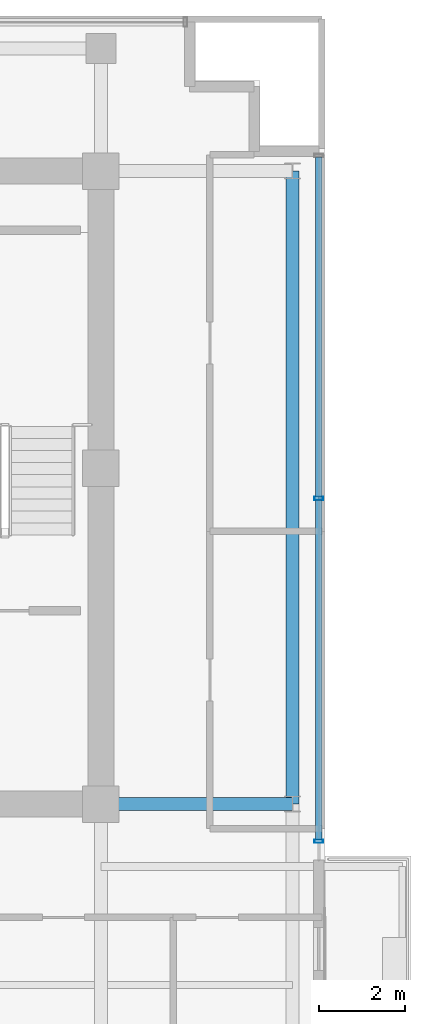
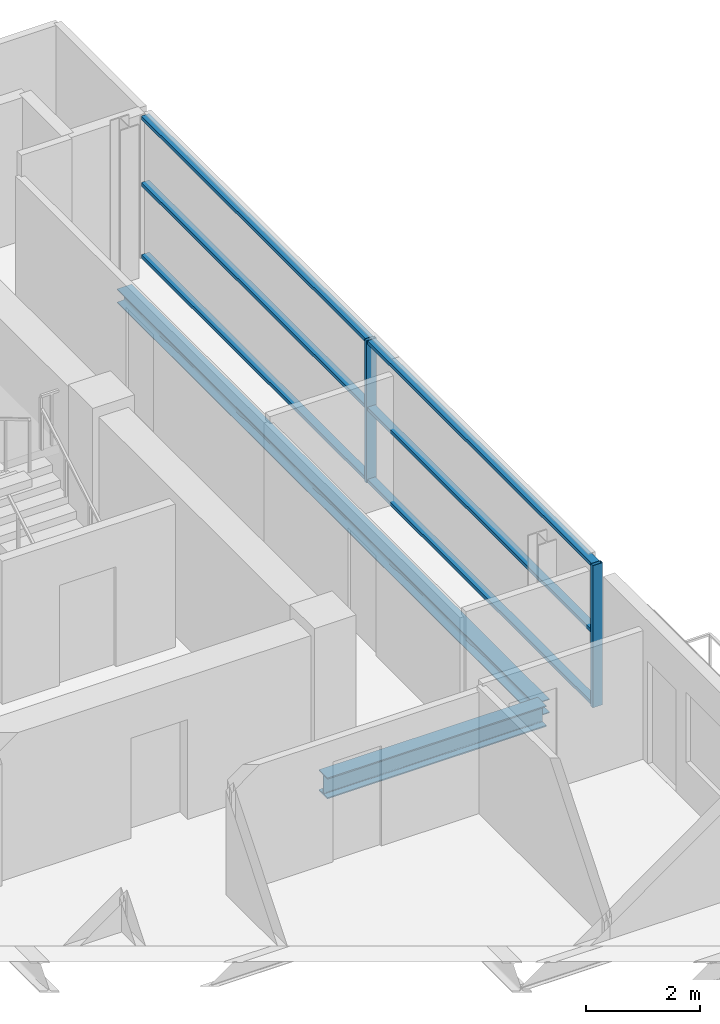
# One storey, part 11 of 23: 8 members, 2 beams, 1 element without a shape of its own.
"""IFC4 building model written with IfcOpenShell, lengths in metres."""

from ifc_helpers import new_model, si_unit, direction, frame, origin, origin_2d, place, context, subcontext, project, spatial, hollow_rectangle, i_section, extrude, source, transform, mapped, material, layer, layer_set, material_profile, profile_set, type_object, element, aggregate, save


model = new_model("IFC4")

# Units and contexts
model_context = context("Model", 3, precision=1e-05, world=origin(), true_north=direction((0.0, 1.0)))
body_context = subcontext(model_context, "Body", "Model", "MODEL_VIEW")
ifc_project = project(units=[si_unit("LENGTHUNIT", "METRE"), si_unit("AREAUNIT", "SQUARE_METRE"), si_unit("VOLUMEUNIT", "CUBIC_METRE"), si_unit("PLANEANGLEUNIT", "RADIAN"), si_unit("MASSUNIT", "GRAM", prefix="KILO")], contexts=[model_context])

# Site, building, storey
site_placement = place(None, origin())
site = spatial("IfcSite", under=ifc_project, at=site_placement, CompositionType="ELEMENT")
building_placement = place(site_placement, origin())
building = spatial("IfcBuilding", under=site, at=building_placement, Name="Zarnakvel Exchange Tower", CompositionType="ELEMENT")
storey_placement = place(building_placement, frame((0.0, 0.0, 218.800048828125)))
storey = spatial("IfcBuildingStorey", under=building, at=storey_placement, Name="L61", CompositionType="ELEMENT", Elevation=218.800048828125)

# Beams
ifc_material_1 = material(Name="Steel S355", Category="steel")
ifc_material_profile_1 = material_profile(ifc_material_1, i_section(OverallWidth=0.300048828125, OverallDepth=0.449951171875, WebThickness=0.013916015625, FlangeThickness=0.02587890625, FilletRadius=0.027099609375, at=origin_2d()))
ifc_profile_set_1 = profile_set([ifc_material_profile_1], Name="Steel S355")
beam_type_1 = type_object("IfcBeamType", Name="G-07", PredefinedType="BEAM", material=ifc_profile_set_1)
beam_1_placement = place(storey_placement, frame((14.39990234375, -1.199951171875, -0.449951171875), z_axis=(1.0, 0.0, 0.0), x_axis=(0.0, 1.0, 0.0)))
element("IfcBeam", 1, at=beam_1_placement, inside=storey, type_object=beam_type_1, Name="L61 Tower E-W Frame Beam", PredefinedType="BEAM", context=body_context, shape_type="SweptSolid", body=[
    extrude(i_section(OverallWidth=0.300048828125, OverallDepth=0.449951171875, WebThickness=0.013916015625, FlangeThickness=0.02587890625, FilletRadius=0.027099609375, at=origin_2d()), origin(), (0.0, 0.0, 1.0), 4.4501953125),
])
ifc_material_profile_2 = material_profile(ifc_material_1, i_section(OverallWidth=0.300048828125, OverallDepth=0.300048828125, WebThickness=0.010986328125, FlangeThickness=0.01904296875, FilletRadius=0.027099609375, at=origin_2d()))
ifc_profile_set_2 = profile_set([ifc_material_profile_2], Name="Steel S355")
beam_type_2 = type_object("IfcBeamType", Name="SP-03", PredefinedType="SPANDREL", material=ifc_profile_set_2)
beam_2_placement = place(storey_placement, frame((18.85009765625, -1.199951171875, -0.375), z_axis=(0.0, 1.0, 0.0), x_axis=(-1.0, 0.0, 0.0)))
element("IfcBeam", 2, at=beam_2_placement, inside=storey, type_object=beam_type_2, Name="L61 Tower N-S Frame Beam", PredefinedType="SPANDREL", context=body_context, shape_type="SweptSolid", body=[
    extrude(i_section(OverallWidth=0.300048828125, OverallDepth=0.300048828125, WebThickness=0.010986328125, FlangeThickness=0.01904296875, FilletRadius=0.027099609375, at=origin_2d()), origin(), (0.0, 0.0, 1.0), 14.699951171875),
])

# Curtain wall, members
ifc_material_2 = material(Name="Architectural Bronze Anodised Aluminium", Category="aluminium")
ifc_layer = layer(ifc_material_2, 0.199951171875)
ifc_layer_set = layer_set([ifc_layer], Name="Architectural Bronze Anodised Aluminium")
curtain_wall_type = type_object("IfcCurtainWallType", Name="CW-04", PredefinedType="NOTDEFINED", material=ifc_layer_set)
curtain_wall_placement = place(storey_placement, origin())
curtain_wall = element("IfcCurtainWall", 3, at=curtain_wall_placement, inside=storey, type_object=curtain_wall_type, Name="L61 Curtain Wall CW-L61-EN (CW-04)", PredefinedType="NOTDEFINED")
ifc_material_profile_3 = material_profile(ifc_material_2, hollow_rectangle(XDim=0.199951171875, YDim=0.074951171875, WallThickness=0.0048828125, at=origin_2d()))
ifc_profile_set_3 = profile_set([ifc_material_profile_3], Name="Architectural Bronze Anodised Aluminium")
member_type_1 = type_object("IfcMemberType", Name="CWM-04", PredefinedType="MULLION", material=ifc_profile_set_3)
shared_shape_1 = source(origin(), body_context, "Body", "SweptSolid", [
    extrude(hollow_rectangle(XDim=0.199951171875, YDim=0.074951171875, WallThickness=0.0048828125, at=origin_2d()), origin(), (0.0, 0.0, 1.0), 3.054931640625),
])
member_1_placement = place(storey_placement, frame((19.4599609375, -2.0625, 0.0), z_axis=(0.0, 0.0, 1.0), x_axis=(-1.0, 0.0, 0.0)))
member_1 = element("IfcMember", 4, at=member_1_placement, type_object=member_type_1, Name="CW-04 mullion 1", PredefinedType="MULLION", context=body_context, shape_type="MappedRepresentation", body=[
    mapped(shared_shape_1, transform((0.0, 0.0, 0.0), x_axis=(1.0, 0.0, 0.0), y_axis=(0.0, 1.0, 0.0), z_axis=(0.0, 0.0, 1.0), scale=1.0)),
])
member_2_placement = place(storey_placement, frame((19.4599609375, 5.89990234375, 0.0), z_axis=(0.0, 0.0, 1.0), x_axis=(-1.0, 0.0, 0.0)))
member_2 = element("IfcMember", 5, at=member_2_placement, type_object=member_type_1, Name="CW-04 mullion 2", PredefinedType="MULLION", context=body_context, shape_type="MappedRepresentation", body=[
    mapped(shared_shape_1, transform((0.0, 0.0, 0.0), x_axis=(1.0, 0.0, 0.0), y_axis=(0.0, 1.0, 0.0), z_axis=(0.0, 0.0, 1.0), scale=1.0)),
])
ifc_material_profile_4 = material_profile(ifc_material_2, hollow_rectangle(XDim=0.159912109375, YDim=0.074951171875, WallThickness=0.00390625, at=origin_2d()))
ifc_profile_set_4 = profile_set([ifc_material_profile_4], Name="Architectural Bronze Anodised Aluminium")
member_type_2 = type_object("IfcMemberType", Name="CWT-04", PredefinedType="USERDEFINED", material=ifc_profile_set_4)
shared_shape_2 = source(origin(), body_context, "Body", "SweptSolid", [
    extrude(hollow_rectangle(XDim=0.159912109375, YDim=0.074951171875, WallThickness=0.00390625, at=origin_2d()), origin(), (0.0, 0.0, 1.0), 7.887451171875),
])
member_3_placement = place(storey_placement, frame((19.4599609375, -2.02490234375, 0.037353515625), z_axis=(0.0, 1.0, 0.0), x_axis=(-1.0, 0.0, 0.0)))
member_3 = element("IfcMember", 6, at=member_3_placement, type_object=member_type_2, Name="CW-04 transom 1.1", ObjectType="TRANSOM", PredefinedType="USERDEFINED", context=body_context, shape_type="MappedRepresentation", body=[
    mapped(shared_shape_2, transform((0.0, 0.0, 0.0), x_axis=(1.0, 0.0, 0.0), y_axis=(0.0, 1.0, 0.0), z_axis=(0.0, 0.0, 1.0), scale=1.0)),
])
member_4_placement = place(storey_placement, frame((19.4599609375, -2.02490234375, 1.588623046875), z_axis=(0.0, 1.0, 0.0), x_axis=(-1.0, 0.0, 0.0)))
member_4 = element("IfcMember", 7, at=member_4_placement, type_object=member_type_2, Name="CW-04 transom 1.2", ObjectType="TRANSOM", PredefinedType="USERDEFINED", context=body_context, shape_type="MappedRepresentation", body=[
    mapped(shared_shape_2, transform((0.0, 0.0, 0.0), x_axis=(1.0, 0.0, 0.0), y_axis=(0.0, 1.0, 0.0), z_axis=(0.0, 0.0, 1.0), scale=1.0)),
])
member_5_placement = place(storey_placement, frame((19.4599609375, -2.02490234375, 3.017333984375), z_axis=(0.0, 1.0, 0.0), x_axis=(-1.0, 0.0, 0.0)))
member_5 = element("IfcMember", 8, at=member_5_placement, type_object=member_type_2, Name="CW-04 transom 1.3", ObjectType="TRANSOM", PredefinedType="USERDEFINED", context=body_context, shape_type="MappedRepresentation", body=[
    mapped(shared_shape_2, transform((0.0, 0.0, 0.0), x_axis=(1.0, 0.0, 0.0), y_axis=(0.0, 1.0, 0.0), z_axis=(0.0, 0.0, 1.0), scale=1.0)),
])
member_6_placement = place(storey_placement, frame((19.4599609375, 5.9375, 0.037353515625), z_axis=(0.0, 1.0, 0.0), x_axis=(-1.0, 0.0, 0.0)))
member_6 = element("IfcMember", 9, at=member_6_placement, type_object=member_type_2, Name="CW-04 transom 2.1", ObjectType="TRANSOM", PredefinedType="USERDEFINED", context=body_context, shape_type="MappedRepresentation", body=[
    mapped(shared_shape_2, transform((0.0, 0.0, 0.0), x_axis=(1.0, 0.0, 0.0), y_axis=(0.0, 1.0, 0.0), z_axis=(0.0, 0.0, 1.0), scale=1.0)),
])
member_7_placement = place(storey_placement, frame((19.4599609375, 5.9375, 1.588623046875), z_axis=(0.0, 1.0, 0.0), x_axis=(-1.0, 0.0, 0.0)))
member_7 = element("IfcMember", 10, at=member_7_placement, type_object=member_type_2, Name="CW-04 transom 2.2", ObjectType="TRANSOM", PredefinedType="USERDEFINED", context=body_context, shape_type="MappedRepresentation", body=[
    mapped(shared_shape_2, transform((0.0, 0.0, 0.0), x_axis=(1.0, 0.0, 0.0), y_axis=(0.0, 1.0, 0.0), z_axis=(0.0, 0.0, 1.0), scale=1.0)),
])
member_8_placement = place(storey_placement, frame((19.4599609375, 5.9375, 3.017333984375), z_axis=(0.0, 1.0, 0.0), x_axis=(-1.0, 0.0, 0.0)))
member_8 = element("IfcMember", 11, at=member_8_placement, type_object=member_type_2, Name="CW-04 transom 2.3", ObjectType="TRANSOM", PredefinedType="USERDEFINED", context=body_context, shape_type="MappedRepresentation", body=[
    mapped(shared_shape_2, transform((0.0, 0.0, 0.0), x_axis=(1.0, 0.0, 0.0), y_axis=(0.0, 1.0, 0.0), z_axis=(0.0, 0.0, 1.0), scale=1.0)),
])
aggregate(curtain_wall, [member_1, member_2, member_3, member_4, member_5, member_6, member_7, member_8])

save(model, "model.ifc")
